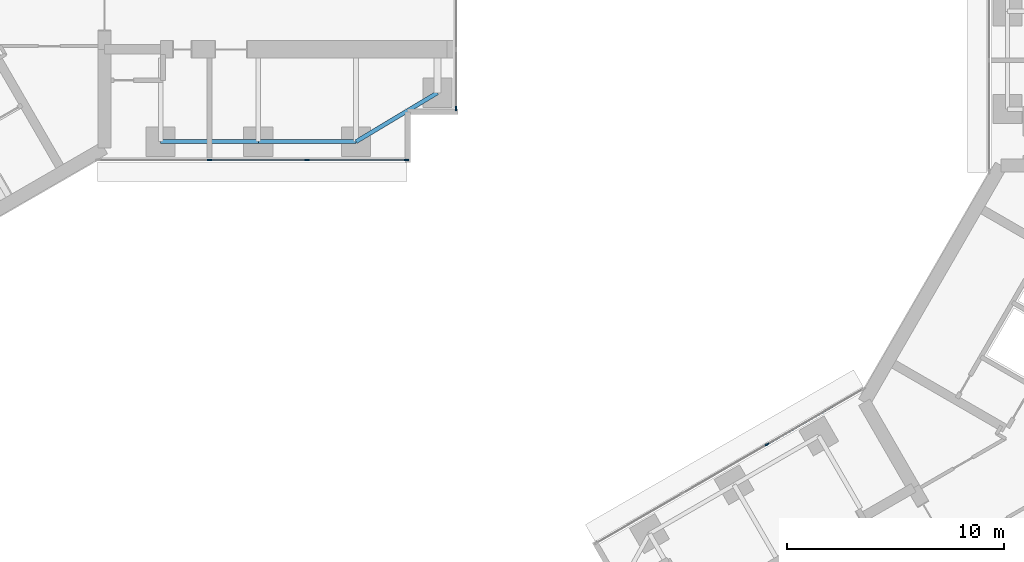
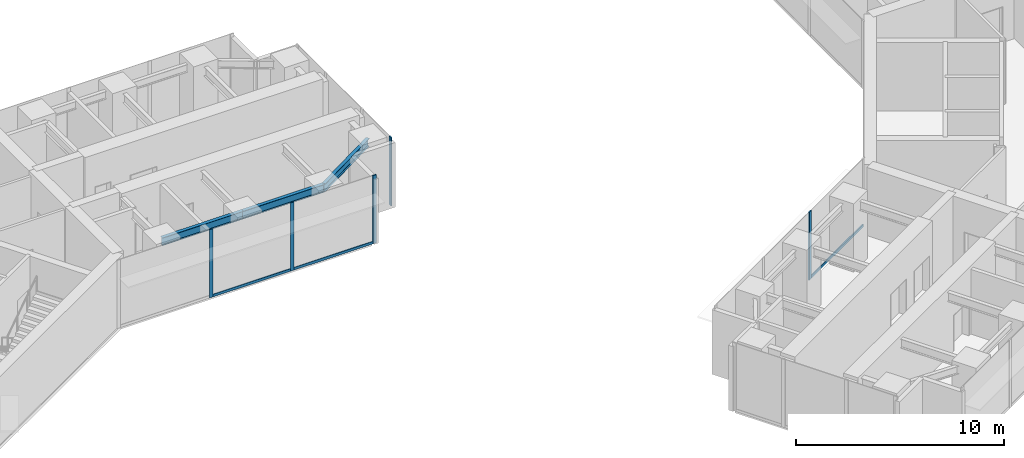
# One storey, part 4 of 21: 8 members, 3 beams, 3 elements without a shape of their own.
"""IFC4 building model written with IfcOpenShell, lengths in metres."""

from ifc_helpers import new_model, si_unit, direction, frame, origin, origin_2d, place, context, subcontext, project, spatial, rectangle, i_section, extrude, material, material_profile, profile_set, type_object, element, aggregate, save


model = new_model("IFC4")

# Units and contexts
model_context = context("Model", 3, precision=1e-05, world=origin(), true_north=direction((0.0, 1.0)))
body_context = subcontext(model_context, "Body", "Model", "MODEL_VIEW")
ifc_project = project(units=[si_unit("LENGTHUNIT", "METRE"), si_unit("AREAUNIT", "SQUARE_METRE"), si_unit("VOLUMEUNIT", "CUBIC_METRE"), si_unit("PLANEANGLEUNIT", "RADIAN"), si_unit("MASSUNIT", "GRAM", prefix="KILO")], contexts=[model_context])

# Site, building, storey
site_placement = place(None, origin())
site = spatial("IfcSite", under=ifc_project, at=site_placement, CompositionType="ELEMENT")
building_placement = place(site_placement, origin())
building = spatial("IfcBuilding", under=site, at=building_placement, Name="Upepo Twin Towers", CompositionType="ELEMENT")
storey_placement = place(building_placement, frame((0.0, 0.0, 109.5)))
storey = spatial("IfcBuildingStorey", under=building, at=storey_placement, Name="L26", CompositionType="ELEMENT", Elevation=109.5)

# Beams
ifc_material_1 = material(Name="Steel S355", Category="steel")
ifc_material_profile_1 = material_profile(ifc_material_1, i_section(OverallWidth=0.1904296875, OverallDepth=0.45703125, WebThickness=0.009033203125, FlangeThickness=0.014404296875, FilletRadius=0.01025390625, at=origin_2d()), Name="UB 457x191x74")
ifc_profile_set_1 = profile_set([ifc_material_profile_1], Name="Steel S355")
beam_type = type_object("IfcBeamType", Name="Beam UB 457x191x74", PredefinedType="BEAM", material=ifc_profile_set_1)
for number, where, z_axis, x_axis, name in (
    (1, (13.5, -6.0, 3.571533203125), (1.0, 0.0, 0.0), (0.0, 1.0, 0.0), "T1 edge beam AR 13.5-18.0"),
    (2, (18.0, -6.0, 3.571533203125), (1.0, 0.0, 0.0), (0.0, 1.0, 0.0), "T1 edge beam AR 18.0-22.5"),
):
    element("IfcBeam", number, at=place(storey_placement, frame(where, z_axis=z_axis, x_axis=x_axis)), inside=storey, type_object=beam_type, Name=name, PredefinedType="BEAM", context=body_context, shape_type="SweptSolid", body=[
        extrude(i_section(OverallWidth=0.1904296875, OverallDepth=0.45703125, WebThickness=0.009033203125, FlangeThickness=0.014404296875, FilletRadius=0.01025390625, at=origin_2d()), origin(), (0.0, 0.0, 1.0), 4.5),
    ])
beam_placement = place(storey_placement, frame((22.5, -6.0, 3.571533203125), z_axis=(0.857492925713, 0.514495755428, 0.0), x_axis=(-0.514495755428, 0.857492925713, 0.0)))
element("IfcBeam", 3, at=beam_placement, inside=storey, type_object=beam_type, Name="T1 nose edge beam AR", PredefinedType="BEAM", context=body_context, shape_type="SweptSolid", body=[
    extrude(i_section(OverallWidth=0.1904296875, OverallDepth=0.45703125, WebThickness=0.009033203125, FlangeThickness=0.014404296875, FilletRadius=0.01025390625, at=origin_2d()), origin(), (0.0, 0.0, 1.0), 4.373291015625),
])

# Curtain wall, members
ifc_material_2 = material(Name="Aluminium and fritted glass", Category="aluminium")
curtain_wall_type = type_object("IfcCurtainWallType", Name="Tower curtain wall TW2, fritted glass", PredefinedType="NOTDEFINED", material=ifc_material_2)
curtain_wall_1_placement = place(storey_placement, origin())
curtain_wall_1 = element("IfcCurtainWall", 4, at=curtain_wall_1_placement, inside=storey, type_object=curtain_wall_type, Name="T1 L26 wing A flank R curtain wall", PredefinedType="NOTDEFINED")
ifc_material_3 = material(Name="Aluminium mullion", Category="aluminium")
ifc_material_profile_2 = material_profile(ifc_material_3, rectangle(XDim=0.06494140625, YDim=0.199951171875, at=origin_2d()), Name="MULLION 65x200")
ifc_profile_set_2 = profile_set([ifc_material_profile_2], Name="Aluminium mullion")
member_type_1 = type_object("IfcMemberType", Name="Mullion 65x200 TW2", PredefinedType="MULLION", material=ifc_profile_set_2)
member_1_placement = place(storey_placement, frame((24.8173828125, -6.85009765625, 0.0), z_axis=(0.0, 0.0, 1.0), x_axis=(0.0, -1.0, 0.0)))
member_1 = element("IfcMember", 5, at=member_1_placement, type_object=member_type_1, Name="T1 L26 wing A flank R curtain wall mullion 1", PredefinedType="MULLION", context=body_context, shape_type="SweptSolid", body=[
    extrude(rectangle(XDim=0.06494140625, YDim=0.199951171875, at=origin_2d()), origin(), (0.0, 0.0, 1.0), 4.0),
])
member_2_placement = place(storey_placement, frame((20.25, -6.85009765625, 0.0), z_axis=(0.0, 0.0, 1.0), x_axis=(0.0, -1.0, 0.0)))
member_2 = element("IfcMember", 6, at=member_2_placement, type_object=member_type_1, Name="T1 L26 wing A flank R curtain wall mullion 2", PredefinedType="MULLION", context=body_context, shape_type="SweptSolid", body=[
    extrude(rectangle(XDim=0.06494140625, YDim=0.199951171875, at=origin_2d()), origin(), (0.0, 0.0, 1.0), 4.0),
])
member_3_placement = place(storey_placement, frame((15.75, -6.85009765625, 0.0), z_axis=(0.0, 0.0, 1.0), x_axis=(0.0, -1.0, 0.0)))
member_3 = element("IfcMember", 7, at=member_3_placement, type_object=member_type_1, Name="T1 L26 wing A flank R curtain wall mullion 3", PredefinedType="MULLION", context=body_context, shape_type="SweptSolid", body=[
    extrude(rectangle(XDim=0.06494140625, YDim=0.199951171875, at=origin_2d()), origin(), (0.0, 0.0, 1.0), 4.0),
])

# Curtain wall, member
curtain_wall_2_placement = place(storey_placement, origin())
curtain_wall_2 = element("IfcCurtainWall", 8, at=curtain_wall_2_placement, inside=storey, type_object=curtain_wall_type, Name="T1 L26 wing A nose curtain wall", PredefinedType="NOTDEFINED")
member_4_placement = place(storey_placement, frame((27.10009765625, -4.467529296875, 0.0), z_axis=(0.0, 0.0, 1.0), x_axis=(-1.0, 0.0, 0.0)))
member_4 = element("IfcMember", 9, at=member_4_placement, type_object=member_type_1, Name="T1 L26 wing A nose curtain wall mullion 1", PredefinedType="MULLION", context=body_context, shape_type="SweptSolid", body=[
    extrude(rectangle(XDim=0.06494140625, YDim=0.199951171875, at=origin_2d()), origin(), (0.0, 0.0, 1.0), 4.0),
])
aggregate(curtain_wall_2, [member_4])

curtain_wall_3_placement = place(storey_placement, origin())
curtain_wall_3 = element("IfcCurtainWall", 10, at=curtain_wall_3_placement, inside=storey, type_object=curtain_wall_type, Name="T2 L26 wing B flank R curtain wall", PredefinedType="NOTDEFINED")
member_5_placement = place(storey_placement, frame((41.43505859375, -19.942626953125, 0.0), z_axis=(0.0, 0.0, 1.0), x_axis=(-0.500000010308, 0.866025397833, 0.0)))
member_5 = element("IfcMember", 11, at=member_5_placement, type_object=member_type_1, Name="T2 L26 wing B flank R curtain wall mullion 3", PredefinedType="MULLION", context=body_context, shape_type="SweptSolid", body=[
    extrude(rectangle(XDim=0.06494140625, YDim=0.199951171875, at=origin_2d()), origin(), (0.0, 0.0, 1.0), 4.0),
])

# Member
ifc_material_4 = material(Name="Aluminium transom", Category="aluminium")
ifc_material_profile_3 = material_profile(ifc_material_4, rectangle(XDim=0.06494140625, YDim=0.14990234375, at=origin_2d()), Name="TRANSOM 65x150")
ifc_profile_set_3 = profile_set([ifc_material_profile_3], Name="Aluminium transom")
member_type_2 = type_object("IfcMemberType", Name="Transom 65x150 TW2", PredefinedType="USERDEFINED", material=ifc_profile_set_3)
member_6_placement = place(storey_placement, frame((24.784912109375, -6.85009765625, 0.074951171875), z_axis=(-1.0, 0.0, 0.0), x_axis=(0.0, -1.0, 0.0)))
member_6 = element("IfcMember", 12, at=member_6_placement, type_object=member_type_2, Name="T1 L26 wing A flank R curtain wall transom 1", ObjectType="TRANSOM", PredefinedType="USERDEFINED", context=body_context, shape_type="SweptSolid", body=[
    extrude(rectangle(XDim=0.06494140625, YDim=0.14990234375, at=origin_2d()), origin(), (0.0, 0.0, 1.0), 4.50244140625),
])

member_7_placement = place(storey_placement, frame((20.217529296875, -6.85009765625, 0.074951171875), z_axis=(-1.0, 0.0, 0.0), x_axis=(0.0, -1.0, 0.0)))
member_7 = element("IfcMember", 13, at=member_7_placement, type_object=member_type_2, Name="T1 L26 wing A flank R curtain wall transom 2", ObjectType="TRANSOM", PredefinedType="USERDEFINED", context=body_context, shape_type="SweptSolid", body=[
    extrude(rectangle(XDim=0.06494140625, YDim=0.14990234375, at=origin_2d()), origin(), (0.0, 0.0, 1.0), 4.43505859375),
])

aggregate(curtain_wall_1, [member_1, member_2, member_3, member_6, member_7])

member_8_placement = place(storey_placement, frame((41.463134765625, -19.926513671875, 0.074951171875), z_axis=(0.866033897268, 0.499985288567, 0.0), x_axis=(-0.499985288567, 0.866033897268, 0.0)))
member_8 = element("IfcMember", 14, at=member_8_placement, type_object=member_type_2, Name="T2 L26 wing B flank R curtain wall transom 3", ObjectType="TRANSOM", PredefinedType="USERDEFINED", context=body_context, shape_type="SweptSolid", body=[
    extrude(rectangle(XDim=0.06494140625, YDim=0.14990234375, at=origin_2d()), origin(), (0.0, 0.0, 1.0), 5.065673828125),
])

aggregate(curtain_wall_3, [member_5, member_8])

save(model, "model.ifc")
